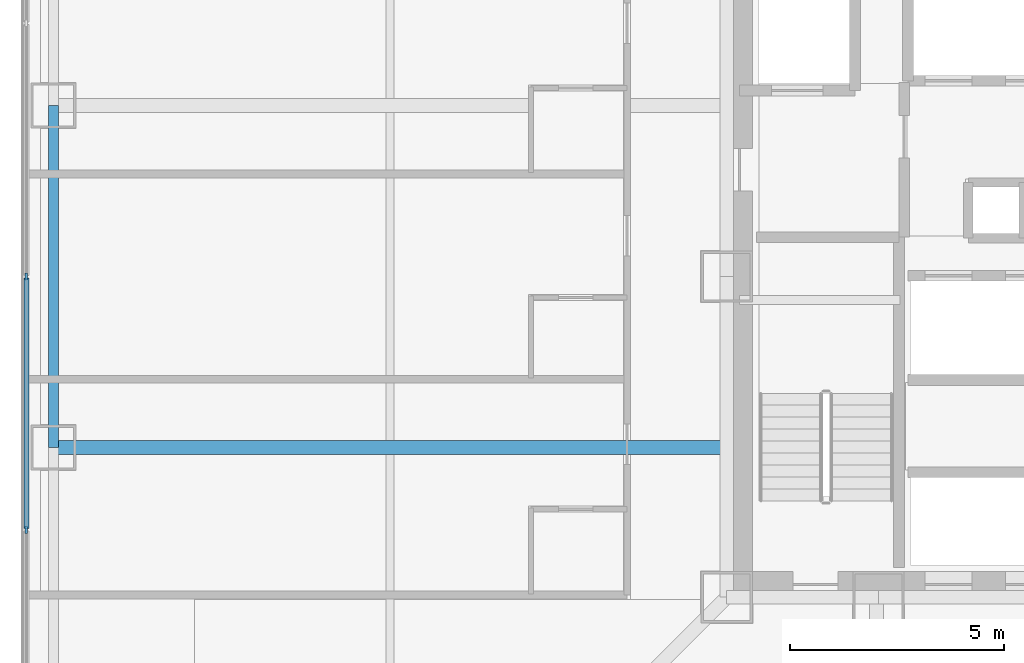
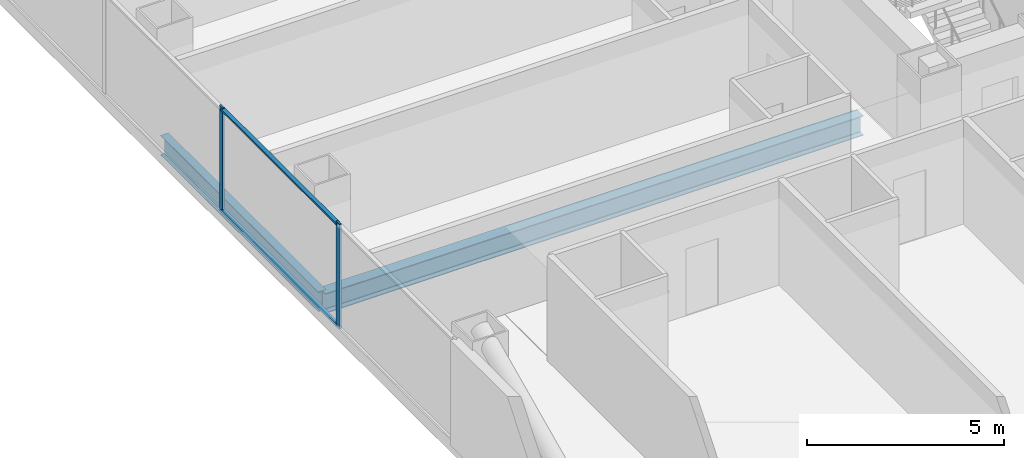
# One storey, part 5 of 23: 4 members, 2 beams, 1 element without a shape of its own.
"""IFC4 building model written with IfcOpenShell, lengths in metres."""

from ifc_helpers import new_model, si_unit, direction, frame, origin, origin_2d, place, context, subcontext, project, spatial, rectangle, i_section, extrude, material, layer, layer_set, material_profile, profile_set, type_object, element, aggregate, save


model = new_model("IFC4")

# Units and contexts
model_context = context("Model", 3, precision=1e-05, world=origin(), true_north=direction((0.0, 1.0)))
body_context = subcontext(model_context, "Body", "Model", "MODEL_VIEW")
ifc_project = project(units=[si_unit("LENGTHUNIT", "METRE"), si_unit("AREAUNIT", "SQUARE_METRE"), si_unit("VOLUMEUNIT", "CUBIC_METRE"), si_unit("PLANEANGLEUNIT", "RADIAN"), si_unit("MASSUNIT", "GRAM", prefix="KILO")], contexts=[model_context])

# Site, building, storey
site_placement = place(None, origin())
site = spatial("IfcSite", under=ifc_project, at=site_placement, CompositionType="ELEMENT")
building_placement = place(site_placement, origin())
building = spatial("IfcBuilding", under=site, at=building_placement, Name="Trevonay Congress Spire", CompositionType="ELEMENT")
storey_placement = place(building_placement, frame((0.0, 0.0, 34.0)))
storey = spatial("IfcBuildingStorey", under=building, at=storey_placement, Name="L07", CompositionType="ELEMENT", Elevation=34.0)

# Beams
ifc_material_1 = material(Name="Steel ASTM A572 Grade 50", Category="steel")
ifc_material_profile_1 = material_profile(ifc_material_1, i_section(OverallWidth=0.324951171875, OverallDepth=0.615966796875, WebThickness=0.013916015625, FlangeThickness=0.021484375, FilletRadius=0.01806640625, at=origin_2d()), Name="W610x174")
ifc_profile_set_1 = profile_set([ifc_material_profile_1], Name="Steel ASTM A572 Grade 50")
beam_type_1 = type_object("IfcBeamType", Name="BM-GIRD-W610X174", PredefinedType="BEAM", material=ifc_profile_set_1)
beam_1_placement = place(storey_placement, frame((-7.5, -4.0, -0.55810546875), z_axis=(-1.0, 0.0, 0.0), x_axis=(0.0, -1.0, 0.0)))
element("IfcBeam", 1, at=beam_1_placement, inside=storey, type_object=beam_type_1, Name="L07 structural beam BM-L07-GW-M", PredefinedType="BEAM", context=body_context, shape_type="SweptSolid", body=[
    extrude(i_section(OverallWidth=0.324951171875, OverallDepth=0.615966796875, WebThickness=0.013916015625, FlangeThickness=0.021484375, FilletRadius=0.01806640625, at=origin_2d()), origin(), (0.0, 0.0, 1.0), 15.75),
])
ifc_material_profile_2 = material_profile(ifc_material_1, i_section(OverallWidth=0.22998046875, OverallDepth=0.616943359375, WebThickness=0.01318359375, FlangeThickness=0.022216796875, FilletRadius=0.01611328125, at=origin_2d()), Name="W610x140")
ifc_profile_set_2 = profile_set([ifc_material_profile_2], Name="Steel ASTM A572 Grade 50")
beam_type_2 = type_object("IfcBeamType", Name="BM-RING-W610X140", PredefinedType="BEAM", material=ifc_profile_set_2)
beam_2_placement = place(storey_placement, frame((-23.25, -4.0, -0.55859375), z_axis=(0.0, 1.0, 0.0), x_axis=(-1.0, 0.0, 0.0)))
element("IfcBeam", 2, at=beam_2_placement, inside=storey, type_object=beam_type_2, Name="L07 structural beam BM-L07-PW3", PredefinedType="BEAM", context=body_context, shape_type="SweptSolid", body=[
    extrude(i_section(OverallWidth=0.22998046875, OverallDepth=0.616943359375, WebThickness=0.01318359375, FlangeThickness=0.022216796875, FilletRadius=0.01611328125, at=origin_2d()), origin(), (0.0, 0.0, 1.0), 8.0),
])

# Curtain wall, members
ifc_material_2 = material(Name="Pale Anodised Aluminium EN AW-6063-T6", Category="aluminium")
ifc_layer = layer(ifc_material_2, 0.179931640625, Name="Pale Anodised Aluminium EN AW-6063-T6")
ifc_layer_set = layer_set([ifc_layer], Name="Pale Anodised Aluminium EN AW-6063-T6")
curtain_wall_type = type_object("IfcCurtainWallType", Name="CW-SYS02-HOTEL-PALE-METAL", PredefinedType="NOTDEFINED", material=ifc_layer_set)
curtain_wall_placement = place(storey_placement, origin())
curtain_wall = element("IfcCurtainWall", 3, at=curtain_wall_placement, inside=storey, type_object=curtain_wall_type, Name="L07 W unitised curtain wall", PredefinedType="NOTDEFINED")
ifc_material_profile_3 = material_profile(ifc_material_2, rectangle(XDim=0.06005859375, YDim=0.159912109375, at=origin_2d()), Name="CW-MULLION-160-ALUMINIUM")
ifc_profile_set_3 = profile_set([ifc_material_profile_3], Name="Pale Anodised Aluminium EN AW-6063-T6")
member_type_1 = type_object("IfcMemberType", Name="CW-MULLION-160-ALUMINIUM", PredefinedType="MULLION", material=ifc_profile_set_3)
member_1_placement = place(storey_placement, frame((-23.8798828125, -5.925048828125, 0.0), z_axis=(0.0, 0.0, 1.0), x_axis=(-1.0, 0.0, 0.0)))
member_1 = element("IfcMember", 4, at=member_1_placement, type_object=member_type_1, Name="CW02 mullion 2", PredefinedType="MULLION", context=body_context, shape_type="SweptSolid", body=[
    extrude(rectangle(XDim=0.06005859375, YDim=0.159912109375, at=origin_2d()), origin(), (0.0, 0.0, 1.0), 3.25),
])
member_2_placement = place(storey_placement, frame((-23.8798828125, 0.0, 0.0), z_axis=(0.0, 0.0, 1.0), x_axis=(-1.0, 0.0, 0.0)))
member_2 = element("IfcMember", 5, at=member_2_placement, type_object=member_type_1, Name="CW02 mullion 3", PredefinedType="MULLION", context=body_context, shape_type="SweptSolid", body=[
    extrude(rectangle(XDim=0.06005859375, YDim=0.159912109375, at=origin_2d()), origin(), (0.0, 0.0, 1.0), 3.25),
])
ifc_material_profile_4 = material_profile(ifc_material_2, rectangle(XDim=0.1201171875, YDim=0.06005859375, at=origin_2d()), Name="CW-TRANSOM-120-ALUMINIUM")
ifc_profile_set_4 = profile_set([ifc_material_profile_4], Name="Pale Anodised Aluminium EN AW-6063-T6")
member_type_2 = type_object("IfcMemberType", Name="CW-TRANSOM-120-ALUMINIUM", PredefinedType="USERDEFINED", material=ifc_profile_set_4)
member_3_placement = place(storey_placement, frame((-23.8798828125, -5.89501953125, 0.06005859375), z_axis=(0.0, 1.0, 0.0), x_axis=(-1.0, 0.0, 0.0)))
member_3 = element("IfcMember", 6, at=member_3_placement, type_object=member_type_2, Name="CW02 transom 2.1", ObjectType="TRANSOM", PredefinedType="USERDEFINED", context=body_context, shape_type="SweptSolid", body=[
    extrude(rectangle(XDim=0.1201171875, YDim=0.06005859375, at=origin_2d()), origin(), (0.0, 0.0, 1.0), 5.864990234375),
])
member_4_placement = place(storey_placement, frame((-23.8798828125, -5.89501953125, 3.18994140625), z_axis=(0.0, 1.0, 0.0), x_axis=(-1.0, 0.0, 0.0)))
member_4 = element("IfcMember", 7, at=member_4_placement, type_object=member_type_2, Name="CW02 transom 2.2", ObjectType="TRANSOM", PredefinedType="USERDEFINED", context=body_context, shape_type="SweptSolid", body=[
    extrude(rectangle(XDim=0.1201171875, YDim=0.06005859375, at=origin_2d()), origin(), (0.0, 0.0, 1.0), 5.864990234375),
])
aggregate(curtain_wall, [member_1, member_2, member_3, member_4])

save(model, "model.ifc")
